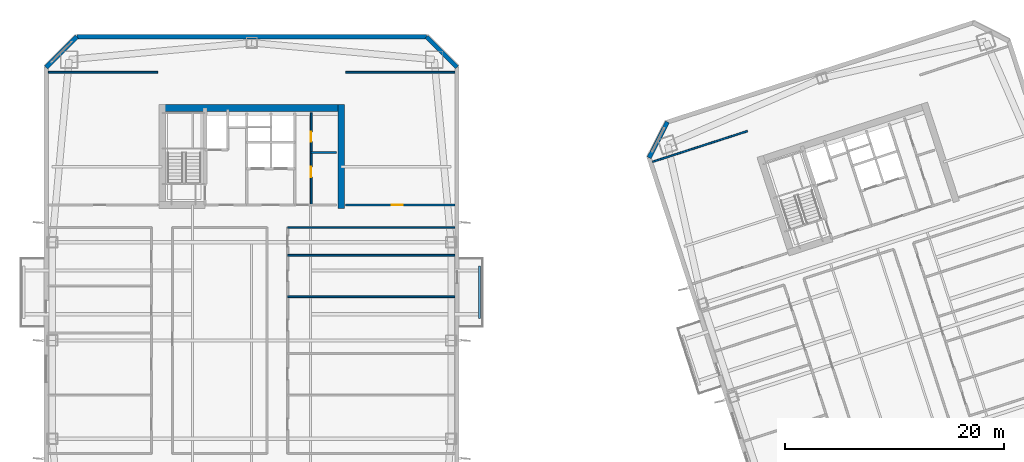
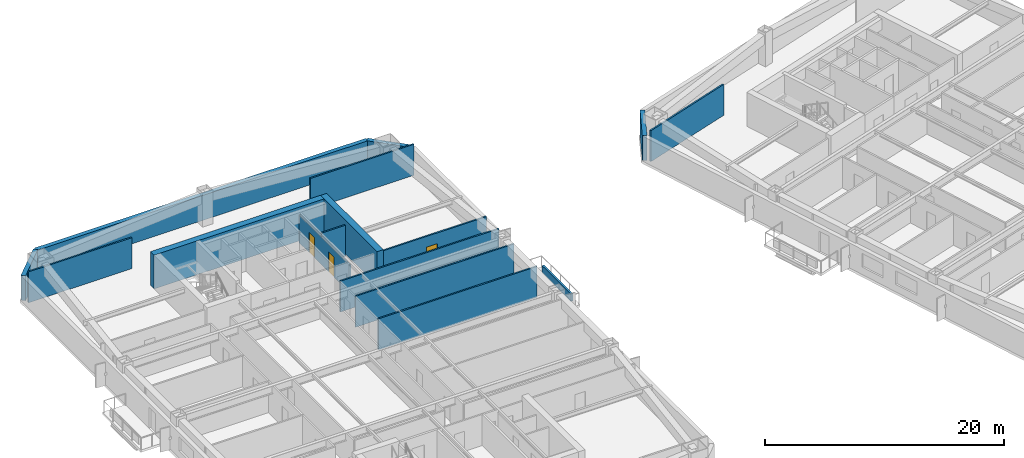
# One storey, part 13 of 23: 16 walls, 3 doors, 3 openings.
"""IFC4 building model written with IfcOpenShell, lengths in metres."""

from ifc_helpers import new_model, si_unit, direction, frame, frame_2d, origin, place, context, subcontext, project, spatial, rectangle, extrude, material, layer, layer_set, type_object, element, fill, save


model = new_model("IFC4")

# Units and contexts
model_context = context("Model", 3, precision=1e-05, world=origin(), true_north=direction((0.0, 1.0)))
body_context = subcontext(model_context, "Body", "Model", "MODEL_VIEW")
ifc_project = project(units=[si_unit("LENGTHUNIT", "METRE"), si_unit("AREAUNIT", "SQUARE_METRE"), si_unit("VOLUMEUNIT", "CUBIC_METRE"), si_unit("PLANEANGLEUNIT", "RADIAN"), si_unit("MASSUNIT", "GRAM", prefix="KILO")], contexts=[model_context])

# Site, building, storey
site_placement = place(None, origin())
site = spatial("IfcSite", under=ifc_project, at=site_placement, CompositionType="ELEMENT")
building_placement = place(site_placement, origin())
building = spatial("IfcBuilding", under=site, at=building_placement, Name="Qiaolan Cultural Towers", CompositionType="ELEMENT")
storey_placement = place(building_placement, frame((0.0, 0.0, 100.050048828125)))
storey = spatial("IfcBuildingStorey", under=building, at=storey_placement, Name="L25", CompositionType="ELEMENT", Elevation=100.050048828125)

# Walls
ifc_material_1 = material(Name="Concrete C55", Category="concrete")
ifc_layer_1 = layer(ifc_material_1, 0.60009765625)
ifc_layer_set_1 = layer_set([ifc_layer_1], Name="Concrete C55")
wall_type_1 = type_object("IfcWallType", Name="WL-CORE-600", PredefinedType="SHEAR", material=ifc_layer_set_1)
wall_1_placement = place(storey_placement, frame((21.5, 55.280029296875, 0.0), z_axis=(0.0, 0.0, 1.0), x_axis=(1.0, 0.0, 0.0)))
element("IfcWall", 1, at=wall_1_placement, inside=storey, type_object=wall_type_1, Name="L25 T1-CN Outer Core Shear Wall", PredefinedType="SHEAR", context=body_context, shape_type="SweptSolid", body=[
    extrude(rectangle(XDim=17.0, YDim=0.60009765625, at=frame_2d((8.5, 0.0))), origin(), (0.0, 0.0, 1.0), 3.449951171875),
])
wall_2_placement = place(storey_placement, frame((38.199951171875, 46.10009765625, 0.0), z_axis=(0.0, 0.0, 1.0), x_axis=(0.0, 1.0, 0.0)))
element("IfcWall", 2, at=wall_2_placement, inside=storey, type_object=wall_type_1, Name="L25 T1-CN East Core Shear Wall", PredefinedType="SHEAR", context=body_context, shape_type="SweptSolid", body=[
    extrude(rectangle(XDim=9.47998046875, YDim=0.60009765625, at=frame_2d((4.739990234375, 0.0))), origin(), (0.0, 0.0, 1.0), 3.449951171875),
])
ifc_material_2 = material(Name="Precast Concrete C50 Honed Stone Pier", Category="masonry")
ifc_layer_2 = layer(ifc_material_2, 0.39990234375)
ifc_layer_set_2 = layer_set([ifc_layer_2], Name="Precast Concrete C50 Honed Stone Pier")
wall_type_2 = type_object("IfcWallType", Name="WL-EXT-PIER-400", PredefinedType="SOLIDWALL", material=ifc_layer_set_2)
wall_3_placement = place(storey_placement, frame((11.199951171875, 59.0, 0.0), z_axis=(0.0, 0.0, 1.0), x_axis=(0.707106781187, 0.707106781187, 0.0)))
element("IfcWall", 3, at=wall_3_placement, inside=storey, type_object=wall_type_2, Name="L25 West Tower Precast Pier Facade Wall F2", PredefinedType="SOLIDWALL", context=body_context, shape_type="SweptSolid", body=[
    extrude(rectangle(XDim=3.9599609375, YDim=0.39990234375, at=frame_2d((1.97998046875, 0.0))), origin(), (0.0, 0.0, 1.0), 2.550048828125),
])
wall_4_placement = place(storey_placement, frame((14.0, 61.800048828125, 0.0), z_axis=(0.0, 0.0, 1.0), x_axis=(1.0, 0.0, 0.0)))
element("IfcWall", 4, at=wall_4_placement, inside=storey, type_object=wall_type_2, Name="L25 West Tower Precast Pier Facade Wall F3", PredefinedType="SOLIDWALL", context=body_context, shape_type="SweptSolid", body=[
    extrude(rectangle(XDim=32.0, YDim=0.39990234375, at=frame_2d((16.0, 0.0))), origin(), (0.0, 0.0, 1.0), 2.550048828125),
])
wall_5_placement = place(storey_placement, frame((46.0, 61.800048828125, 0.0), z_axis=(0.0, 0.0, 1.0), x_axis=(0.707106781187, -0.707106781187, 0.0)))
element("IfcWall", 5, at=wall_5_placement, inside=storey, type_object=wall_type_2, Name="L25 West Tower Precast Pier Facade Wall F4", PredefinedType="SOLIDWALL", context=body_context, shape_type="SweptSolid", body=[
    extrude(rectangle(XDim=3.9599609375, YDim=0.39990234375, at=frame_2d((1.97998046875, 0.0))), origin(), (0.0, 0.0, 1.0), 2.550048828125),
])
wall_6_placement = place(storey_placement, frame((66.37744140625, 50.718505859375, 0.0), z_axis=(0.0, 0.0, 1.0), x_axis=(0.454026238093, 0.890988313685, 0.0)))
element("IfcWall", 6, at=wall_6_placement, inside=storey, type_object=wall_type_2, Name="L25 East Tower Precast Pier Facade Wall F2", PredefinedType="SOLIDWALL", context=body_context, shape_type="SweptSolid", body=[
    extrude(rectangle(XDim=3.677001953125, YDim=0.39990234375, at=frame_2d((1.83837890625, 0.0))), origin(), (0.0, 0.0, 1.0), 2.550048828125),
])

# Wall, openings, doors
ifc_material_3 = material(Name="Autoclaved Aerated Concrete Block B06", Category="concrete")
ifc_layer_3 = layer(ifc_material_3, 0.14990234375)
ifc_layer_set_3 = layer_set([ifc_layer_3], Name="Autoclaved Aerated Concrete Block B06")
wall_type_3 = type_object("IfcWallType", Name="WL-PART-150", PredefinedType="PARTITIONING", material=ifc_layer_set_3)
wall_7_placement = place(storey_placement, frame((35.449951171875, 46.39990234375, 0.0), z_axis=(0.0, 0.0, 1.0), x_axis=(0.0, 1.0, 0.0)))
wall_7 = element("IfcWall", 7, at=wall_7_placement, inside=storey, type_object=wall_type_3, Name="L25 T1-CN Washroom Split Wall", PredefinedType="PARTITIONING", context=body_context, shape_type="SweptSolid", body=[
    extrude(rectangle(XDim=8.43017578125, YDim=0.14990234375, at=frame_2d((4.215087890625, 0.0))), origin(), (0.0, 0.0, 1.0), 2.81494140625),
])
opening_1_placement = place(wall_7_placement, frame((2.550048828125, 0.0, 0.0)))
opening_1 = element("IfcOpeningElement", 8, at=opening_1_placement, cuts=wall_7, Name="Opening ID-05", PredefinedType="OPENING", context=body_context, shape_type="SweptSolid", body=[
    extrude(rectangle(XDim=0.949951171875, YDim=2.050048828125, at=frame_2d((0.47509765625, 1.02490234375))), frame((0.0, 0.0849609375, 0.0), z_axis=(0.0, -1.0, 0.0), x_axis=(1.0, 0.0, 0.0)), (0.0, 0.0, 1.0), 0.169921875),
])
opening_2_placement = place(wall_7_placement, frame((5.800048828125, 0.0, 0.0)))
opening_2 = element("IfcOpeningElement", 9, at=opening_2_placement, cuts=wall_7, Name="Opening ID-06", PredefinedType="OPENING", context=body_context, shape_type="SweptSolid", body=[
    extrude(rectangle(XDim=0.89990234375, YDim=2.050048828125, at=frame_2d((0.449951171875, 1.02490234375))), frame((0.0, 0.0849609375, 0.0), z_axis=(0.0, -1.0, 0.0), x_axis=(1.0, 0.0, 0.0)), (0.0, 0.0, 1.0), 0.169921875),
])
ifc_material_4 = material(Name="Fire-Rated Laminate Core Service Door", Category="timber")
door_type_1 = type_object("IfcDoorType", Name="DR-INT-900", OperationType="NOTDEFINED", PredefinedType="DOOR", material=ifc_material_4)
door_1_placement = place(opening_2_placement, origin())
door_1 = element("IfcDoor", 10, at=door_1_placement, inside=storey, type_object=door_type_1, Name="L25 First-Aid Room Door", OperationType="SINGLE_SWING_RIGHT", OverallHeight=2.050048828125, OverallWidth=0.89990234375, PredefinedType="DOOR", context=body_context, shape_type="SweptSolid", body=[
    extrude(rectangle(XDim=0.89990234375, YDim=2.050048828125, at=frame_2d((0.449951171875, 1.02490234375))), frame((0.0, 0.02490234375, 0.0), z_axis=(0.0, -1.0, 0.0), x_axis=(1.0, 0.0, 0.0)), (0.0, 0.0, 1.0), 0.050048828125),
])
fill(opening_2, door_1)
ifc_material_5 = material(Name="Fire-Rated Laminate Accessible Core Door", Category="timber")
door_type_2 = type_object("IfcDoorType", Name="DR-INT-950", OperationType="NOTDEFINED", PredefinedType="DOOR", material=ifc_material_5)
door_2_placement = place(opening_1_placement, origin())
door_2 = element("IfcDoor", 11, at=door_2_placement, inside=storey, type_object=door_type_2, Name="L25 Accessible Washroom Door", OperationType="SINGLE_SWING_LEFT", OverallHeight=2.050048828125, OverallWidth=0.949951171875, PredefinedType="DOOR", context=body_context, shape_type="SweptSolid", body=[
    extrude(rectangle(XDim=0.949951171875, YDim=2.050048828125, at=frame_2d((0.47509765625, 1.02490234375))), frame((0.0, 0.02490234375, 0.0), z_axis=(0.0, -1.0, 0.0), x_axis=(1.0, 0.0, 0.0)), (0.0, 0.0, 1.0), 0.050048828125),
])
fill(opening_1, door_2)

# Walls
wall_8_placement = place(storey_placement, frame((35.449951171875, 51.199951171875, 0.0), z_axis=(0.0, 0.0, 1.0), x_axis=(1.0, 0.0, 0.0)))
element("IfcWall", 12, at=wall_8_placement, inside=storey, type_object=wall_type_3, Name="L25 T1-CN First-Aid Wall", PredefinedType="PARTITIONING", context=body_context, shape_type="SweptSolid", body=[
    extrude(rectangle(XDim=2.300048828125, YDim=0.14990234375, at=frame_2d((1.14990234375, 0.0))), origin(), (0.0, 0.0, 1.0), 3.155029296875),
])
for number, where, z_axis, x_axis, name in (
    (13, (11.39990234375, 58.550048828125, 0.0), (0.0, 0.0, 1.0), (1.0, 0.0, 0.0), "L25 T1 Flank Wall FLK-NW"),
    (14, (38.60009765625, 58.550048828125, 0.0), (0.0, 0.0, 1.0), (1.0, 0.0, 0.0), "L25 T1 Flank Wall FLK-NE"),
):
    element("IfcWall", number, at=place(storey_placement, frame(where, z_axis=z_axis, x_axis=x_axis)), inside=storey, type_object=wall_type_3, Name=name, PredefinedType="PARTITIONING", context=body_context, shape_type="SweptSolid", body=[
        extrude(rectangle(XDim=10.0, YDim=0.14990234375, at=frame_2d((5.0, 0.0))), origin(), (0.0, 0.0, 1.0), 3.155029296875),
    ])

# Wall, opening, door
wall_9_placement = place(storey_placement, frame((38.60009765625, 46.39990234375, 0.0), z_axis=(0.0, 0.0, 1.0), x_axis=(1.0, 0.0, 0.0)))
wall_9 = element("IfcWall", 15, at=wall_9_placement, inside=storey, type_object=wall_type_3, Name="L25 T1 Flank Front FLK-NE", PredefinedType="PARTITIONING", context=body_context, shape_type="SweptSolid", body=[
    extrude(rectangle(XDim=10.0, YDim=0.14990234375, at=frame_2d((5.0, 0.0))), origin(), (0.0, 0.0, 1.0), 3.155029296875),
])
opening_3_placement = place(wall_9_placement, frame((4.199951171875, 0.0, 0.0)))
opening_3 = element("IfcOpeningElement", 16, at=opening_3_placement, cuts=wall_9, Name="Opening ID-07", PredefinedType="OPENING", context=body_context, shape_type="SweptSolid", body=[
    extrude(rectangle(XDim=1.050048828125, YDim=2.050048828125, at=frame_2d((0.52490234375, 1.02490234375))), frame((0.0, 0.0849609375, 0.0), z_axis=(0.0, -1.0, 0.0), x_axis=(1.0, 0.0, 0.0)), (0.0, 0.0, 1.0), 0.169921875),
])
ifc_material_6 = material(Name="Oak Veneer Consultation Door", Category="timber")
door_type_3 = type_object("IfcDoorType", Name="DR-INT-1050", OperationType="NOTDEFINED", PredefinedType="DOOR", material=ifc_material_6)
door_3_placement = place(opening_3_placement, origin())
door_3 = element("IfcDoor", 17, at=door_3_placement, inside=storey, type_object=door_type_3, Name="L25 T1 Corner Studio Door", OperationType="SINGLE_SWING_LEFT", OverallHeight=2.050048828125, OverallWidth=1.050048828125, PredefinedType="DOOR", context=body_context, shape_type="SweptSolid", body=[
    extrude(rectangle(XDim=1.050048828125, YDim=2.050048828125, at=frame_2d((0.52490234375, 1.02490234375))), frame((0.0, 0.02490234375, 0.0), z_axis=(0.0, -1.0, 0.0), x_axis=(1.0, 0.0, 0.0)), (0.0, 0.0, 1.0), 0.050048828125),
])
fill(opening_3, door_3)

# Walls
for number, where, z_axis, x_axis, name in (
    (18, (33.300048828125, 44.35009765625, 0.0), (0.0, 0.0, 1.0), (1.0, 0.0, 0.0), "L25 T1 Interior Wall"),
    (19, (33.300048828125, 38.0, 0.0), (0.0, 0.0, 1.0), (1.0, 0.0, 0.0), "L25 T1 Interior Wall"),
    (20, (33.300048828125, 41.800048828125, 0.0), (0.0, 0.0, 1.0), (1.0, 0.0, 0.0), "L25 T1 Interior Wall"),
):
    element("IfcWall", number, at=place(storey_placement, frame(where, z_axis=z_axis, x_axis=x_axis)), inside=storey, type_object=wall_type_3, Name=name, PredefinedType="PARTITIONING", context=body_context, shape_type="SweptSolid", body=[
        extrude(rectangle(XDim=15.300048828125, YDim=0.14990234375, at=frame_2d((7.64990234375, 0.0))), origin(), (0.0, 0.0, 1.0), 3.155029296875),
    ])
wall_10_placement = place(storey_placement, frame((66.706787109375, 50.352294921875, 0.0), z_axis=(0.0, 0.0, 1.0), x_axis=(0.951057133767, 0.309015093986, 0.0)))
element("IfcWall", 21, at=wall_10_placement, inside=storey, type_object=wall_type_3, Name="L25 T2 Flank Wall FLK-NW", PredefinedType="PARTITIONING", context=body_context, shape_type="SweptSolid", body=[
    extrude(rectangle(XDim=9.099853515625, YDim=0.14990234375, at=frame_2d((4.5498046875, 0.0))), origin(), (0.0, 0.0, 1.0), 3.155029296875),
])
ifc_material_7 = material(Name="Precast Concrete C45 Tree Planter Upstand", Category="concrete")
ifc_layer_4 = layer(ifc_material_7, 0.199951171875)
ifc_layer_set_4 = layer_set([ifc_layer_4], Name="Precast Concrete C45 Tree Planter Upstand")
wall_type_4 = type_object("IfcWallType", Name="WL-PLANTER-200", PredefinedType="PARAPET", material=ifc_layer_set_4)
wall_11_placement = place(storey_placement, frame((50.85009765625, 36.0, 0.0), z_axis=(0.0, 0.0, 1.0), x_axis=(0.0, 1.0, 0.0)))
element("IfcWall", 22, at=wall_11_placement, inside=storey, type_object=wall_type_4, Name="L25 T1 Tree Balcony Soil Planter Box E", PredefinedType="PARAPET", context=body_context, shape_type="SweptSolid", body=[
    extrude(rectangle(XDim=4.800048828125, YDim=0.199951171875, at=frame_2d((2.39990234375, 0.0))), origin(), (0.0, 0.0, 1.0), 0.75),
])

save(model, "model.ifc")
